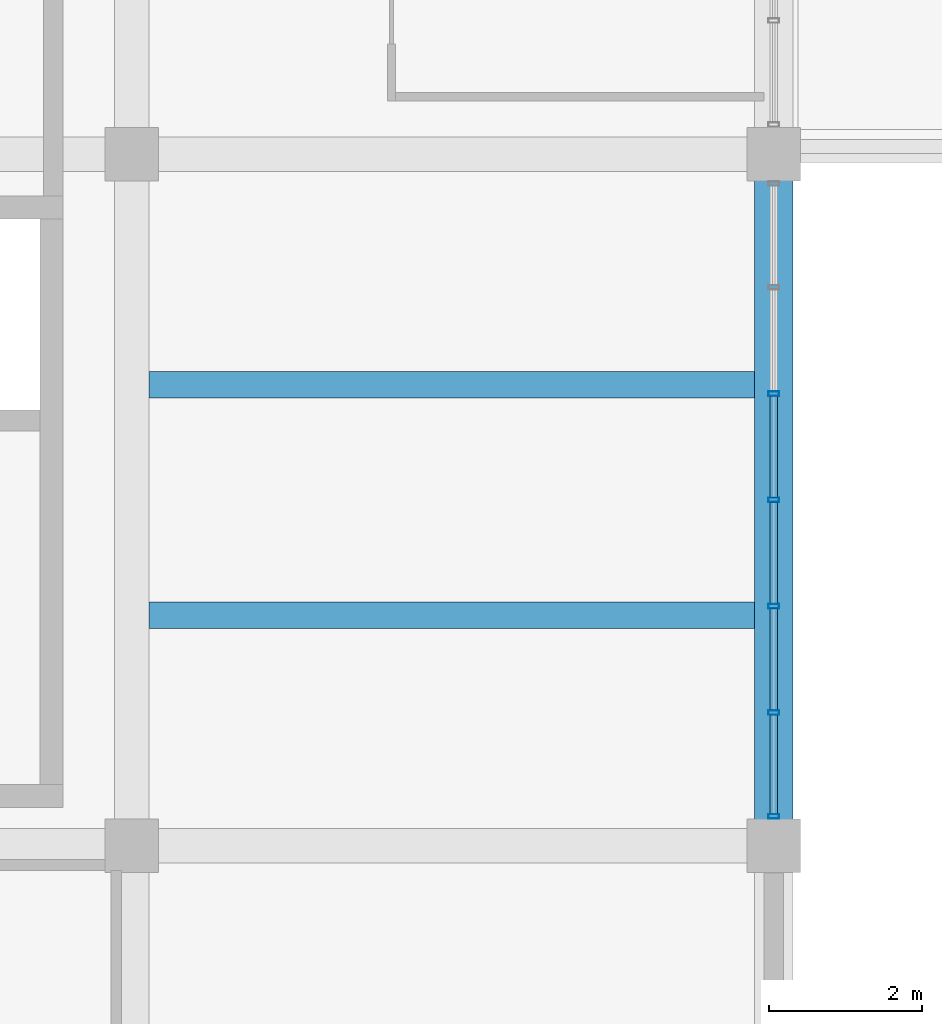
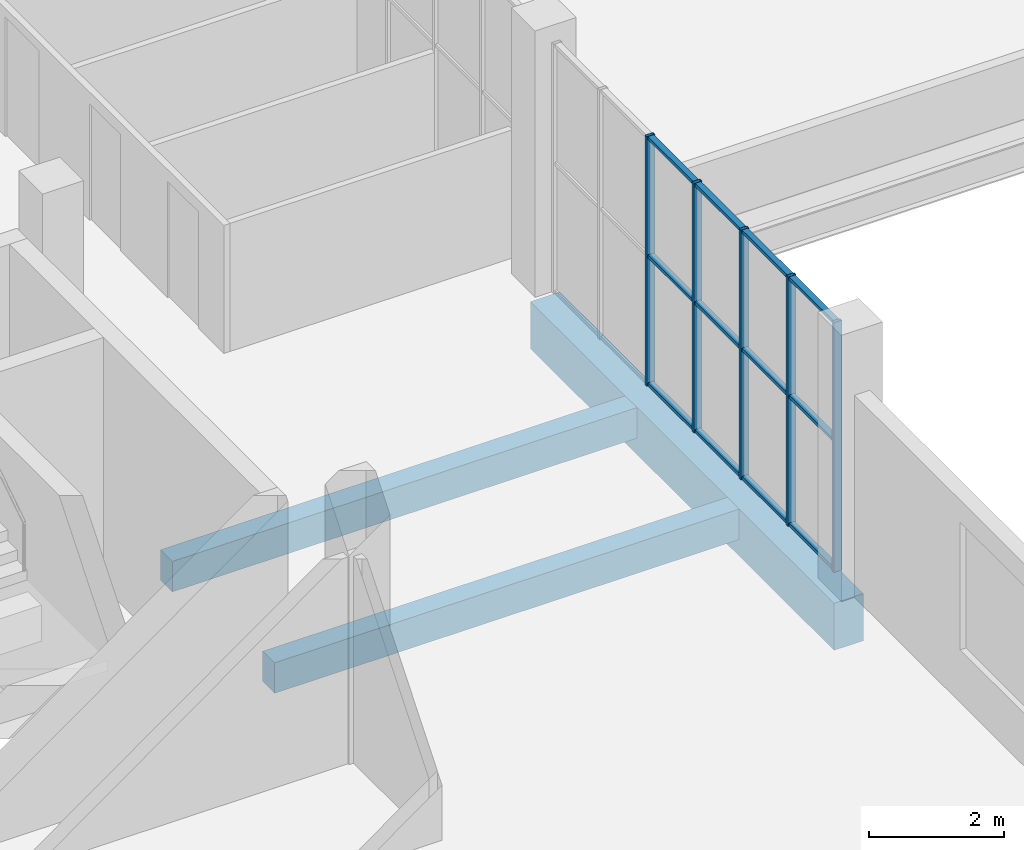
# One storey, part 21 of 80: 17 members, 3 beams, 1 element without a shape of its own.
"""IFC4 building model written with IfcOpenShell, lengths in metres."""

from ifc_helpers import new_model, si_unit, direction, frame, origin, origin_2d, place, context, subcontext, project, spatial, rectangle, hollow_rectangle, extrude, material, material_profile, profile_set, type_object, element, aggregate, save


model = new_model("IFC4")

# Units and contexts
model_context = context("Model", 3, precision=1e-05, world=origin(), true_north=direction((0.0, 1.0)))
body_context = subcontext(model_context, "Body", "Model", "MODEL_VIEW")
ifc_project = project(units=[si_unit("LENGTHUNIT", "METRE"), si_unit("AREAUNIT", "SQUARE_METRE"), si_unit("VOLUMEUNIT", "CUBIC_METRE"), si_unit("PLANEANGLEUNIT", "RADIAN"), si_unit("MASSUNIT", "GRAM", prefix="KILO")], contexts=[model_context])

# Site, building, storey
site_placement = place(None, origin())
site = spatial("IfcSite", under=ifc_project, at=site_placement, CompositionType="ELEMENT")
building_placement = place(site_placement, origin())
building = spatial("IfcBuilding", under=site, at=building_placement, Name="Khurvash Pelagic Aquarium", CompositionType="ELEMENT")
storey_placement = place(building_placement, frame((0.0, 0.0, 10.800048828125)))
storey = spatial("IfcBuildingStorey", under=building, at=storey_placement, Name="L02", CompositionType="ELEMENT", Elevation=10.800048828125)

# Curtain wall, members
ifc_material_1 = material(Name="Anodised aluminium and low-E laminated glass", Category="aluminium")
curtain_wall_type = type_object("IfcCurtainWallType", Name="CW-03", PredefinedType="USERDEFINED", material=ifc_material_1)
curtain_wall_placement = place(storey_placement, origin())
curtain_wall = element("IfcCurtainWall", 1, at=curtain_wall_placement, inside=storey, type_object=curtain_wall_type, Name="L02 Facade Unitised Curtain Wall CW-03 0157", ObjectType="UNITISED CURTAIN WALL", PredefinedType="USERDEFINED")
ifc_material_2 = material(Name="Extruded aluminium AW-6063-T6", Category="aluminium")
ifc_material_profile_1 = material_profile(ifc_material_2, hollow_rectangle(XDim=0.06005859375, YDim=0.139892578125, WallThickness=0.00390625, at=origin_2d()), Name="CWM60X140X4")
ifc_profile_set_1 = profile_set([ifc_material_profile_1], Name="Extruded aluminium AW-6063-T6")
member_type_1 = type_object("IfcMemberType", Name="CM-03", PredefinedType="MULLION", material=ifc_profile_set_1)
member_1_placement = place(storey_placement, frame((109.199951171875, 12.034912109375, 0.0), z_axis=(0.0, 0.0, 1.0), x_axis=(0.0, 1.0, 0.0)))
member_1 = element("IfcMember", 2, at=member_1_placement, type_object=member_type_1, Name="CW-03 mullion 1", PredefinedType="MULLION", context=body_context, shape_type="SweptSolid", body=[
    extrude(hollow_rectangle(XDim=0.06005859375, YDim=0.139892578125, WallThickness=0.00390625, at=origin_2d()), origin(), (0.0, 0.0, 1.0), 4.5),
])
member_2_placement = place(storey_placement, frame((109.199951171875, 13.39501953125, 0.0), z_axis=(0.0, 0.0, 1.0), x_axis=(0.0, 1.0, 0.0)))
member_2 = element("IfcMember", 3, at=member_2_placement, type_object=member_type_1, Name="CW-03 mullion 2", PredefinedType="MULLION", context=body_context, shape_type="SweptSolid", body=[
    extrude(hollow_rectangle(XDim=0.06005859375, YDim=0.139892578125, WallThickness=0.00390625, at=origin_2d()), origin(), (0.0, 0.0, 1.0), 4.5),
])
member_3_placement = place(storey_placement, frame((109.199951171875, 14.784912109375, 0.0), z_axis=(0.0, 0.0, 1.0), x_axis=(0.0, 1.0, 0.0)))
member_3 = element("IfcMember", 4, at=member_3_placement, type_object=member_type_1, Name="CW-03 mullion 3", PredefinedType="MULLION", context=body_context, shape_type="SweptSolid", body=[
    extrude(hollow_rectangle(XDim=0.06005859375, YDim=0.139892578125, WallThickness=0.00390625, at=origin_2d()), origin(), (0.0, 0.0, 1.0), 4.5),
])
member_4_placement = place(storey_placement, frame((109.199951171875, 16.175048828125, 0.0), z_axis=(0.0, 0.0, 1.0), x_axis=(0.0, 1.0, 0.0)))
member_4 = element("IfcMember", 5, at=member_4_placement, type_object=member_type_1, Name="CW-03 mullion 4", PredefinedType="MULLION", context=body_context, shape_type="SweptSolid", body=[
    extrude(hollow_rectangle(XDim=0.06005859375, YDim=0.139892578125, WallThickness=0.00390625, at=origin_2d()), origin(), (0.0, 0.0, 1.0), 4.5),
])
member_5_placement = place(storey_placement, frame((109.199951171875, 17.56494140625, 0.0), z_axis=(0.0, 0.0, 1.0), x_axis=(0.0, 1.0, 0.0)))
member_5 = element("IfcMember", 6, at=member_5_placement, type_object=member_type_1, Name="CW-03 mullion 5", PredefinedType="MULLION", context=body_context, shape_type="SweptSolid", body=[
    extrude(hollow_rectangle(XDim=0.06005859375, YDim=0.139892578125, WallThickness=0.00390625, at=origin_2d()), origin(), (0.0, 0.0, 1.0), 4.5),
])
ifc_material_profile_2 = material_profile(ifc_material_2, hollow_rectangle(XDim=0.10009765625, YDim=0.06005859375, WallThickness=0.00390625, at=origin_2d()), Name="CWT100X60X4")
ifc_profile_set_2 = profile_set([ifc_material_profile_2], Name="Extruded aluminium AW-6063-T6")
member_type_2 = type_object("IfcMemberType", Name="CT-03", PredefinedType="USERDEFINED", material=ifc_profile_set_2)
member_6_placement = place(storey_placement, frame((109.199951171875, 12.06494140625, 0.030029296875), z_axis=(0.0, 1.0, 0.0), x_axis=(-1.0, 0.0, 0.0)))
member_6 = element("IfcMember", 7, at=member_6_placement, type_object=member_type_2, Name="CW-03 transom 1.1", ObjectType="TRANSOM", PredefinedType="USERDEFINED", context=body_context, shape_type="SweptSolid", body=[
    extrude(hollow_rectangle(XDim=0.10009765625, YDim=0.06005859375, WallThickness=0.00390625, at=origin_2d()), origin(), (0.0, 0.0, 1.0), 1.300048828125),
])
member_7_placement = place(storey_placement, frame((109.199951171875, 12.06494140625, 2.33984375), z_axis=(0.0, 1.0, 0.0), x_axis=(-1.0, 0.0, 0.0)))
member_7 = element("IfcMember", 8, at=member_7_placement, type_object=member_type_2, Name="CW-03 transom 1.2", ObjectType="TRANSOM", PredefinedType="USERDEFINED", context=body_context, shape_type="SweptSolid", body=[
    extrude(hollow_rectangle(XDim=0.10009765625, YDim=0.06005859375, WallThickness=0.00390625, at=origin_2d()), origin(), (0.0, 0.0, 1.0), 1.300048828125),
])
member_8_placement = place(storey_placement, frame((109.199951171875, 12.06494140625, 4.469970703125), z_axis=(0.0, 1.0, 0.0), x_axis=(-1.0, 0.0, 0.0)))
member_8 = element("IfcMember", 9, at=member_8_placement, type_object=member_type_2, Name="CW-03 transom 1.3", ObjectType="TRANSOM", PredefinedType="USERDEFINED", context=body_context, shape_type="SweptSolid", body=[
    extrude(hollow_rectangle(XDim=0.10009765625, YDim=0.06005859375, WallThickness=0.00390625, at=origin_2d()), origin(), (0.0, 0.0, 1.0), 1.300048828125),
])
member_9_placement = place(storey_placement, frame((109.199951171875, 13.425048828125, 0.030029296875), z_axis=(0.0, 1.0, 0.0), x_axis=(-1.0, 0.0, 0.0)))
member_9 = element("IfcMember", 10, at=member_9_placement, type_object=member_type_2, Name="CW-03 transom 2.1", ObjectType="TRANSOM", PredefinedType="USERDEFINED", context=body_context, shape_type="SweptSolid", body=[
    extrude(hollow_rectangle(XDim=0.10009765625, YDim=0.06005859375, WallThickness=0.00390625, at=origin_2d()), origin(), (0.0, 0.0, 1.0), 1.329833984375),
])
member_10_placement = place(storey_placement, frame((109.199951171875, 13.425048828125, 2.33984375), z_axis=(0.0, 1.0, 0.0), x_axis=(-1.0, 0.0, 0.0)))
member_10 = element("IfcMember", 11, at=member_10_placement, type_object=member_type_2, Name="CW-03 transom 2.2", ObjectType="TRANSOM", PredefinedType="USERDEFINED", context=body_context, shape_type="SweptSolid", body=[
    extrude(hollow_rectangle(XDim=0.10009765625, YDim=0.06005859375, WallThickness=0.00390625, at=origin_2d()), origin(), (0.0, 0.0, 1.0), 1.329833984375),
])
member_11_placement = place(storey_placement, frame((109.199951171875, 13.425048828125, 4.469970703125), z_axis=(0.0, 1.0, 0.0), x_axis=(-1.0, 0.0, 0.0)))
member_11 = element("IfcMember", 12, at=member_11_placement, type_object=member_type_2, Name="CW-03 transom 2.3", ObjectType="TRANSOM", PredefinedType="USERDEFINED", context=body_context, shape_type="SweptSolid", body=[
    extrude(hollow_rectangle(XDim=0.10009765625, YDim=0.06005859375, WallThickness=0.00390625, at=origin_2d()), origin(), (0.0, 0.0, 1.0), 1.329833984375),
])
member_12_placement = place(storey_placement, frame((109.199951171875, 14.81494140625, 0.030029296875), z_axis=(0.0, 1.0, 0.0), x_axis=(-1.0, 0.0, 0.0)))
member_12 = element("IfcMember", 13, at=member_12_placement, type_object=member_type_2, Name="CW-03 transom 3.1", ObjectType="TRANSOM", PredefinedType="USERDEFINED", context=body_context, shape_type="SweptSolid", body=[
    extrude(hollow_rectangle(XDim=0.10009765625, YDim=0.06005859375, WallThickness=0.00390625, at=origin_2d()), origin(), (0.0, 0.0, 1.0), 1.330078125),
])
member_13_placement = place(storey_placement, frame((109.199951171875, 14.81494140625, 2.33984375), z_axis=(0.0, 1.0, 0.0), x_axis=(-1.0, 0.0, 0.0)))
member_13 = element("IfcMember", 14, at=member_13_placement, type_object=member_type_2, Name="CW-03 transom 3.2", ObjectType="TRANSOM", PredefinedType="USERDEFINED", context=body_context, shape_type="SweptSolid", body=[
    extrude(hollow_rectangle(XDim=0.10009765625, YDim=0.06005859375, WallThickness=0.00390625, at=origin_2d()), origin(), (0.0, 0.0, 1.0), 1.330078125),
])
member_14_placement = place(storey_placement, frame((109.199951171875, 14.81494140625, 4.469970703125), z_axis=(0.0, 1.0, 0.0), x_axis=(-1.0, 0.0, 0.0)))
member_14 = element("IfcMember", 15, at=member_14_placement, type_object=member_type_2, Name="CW-03 transom 3.3", ObjectType="TRANSOM", PredefinedType="USERDEFINED", context=body_context, shape_type="SweptSolid", body=[
    extrude(hollow_rectangle(XDim=0.10009765625, YDim=0.06005859375, WallThickness=0.00390625, at=origin_2d()), origin(), (0.0, 0.0, 1.0), 1.330078125),
])
member_15_placement = place(storey_placement, frame((109.199951171875, 16.205078125, 0.030029296875), z_axis=(0.0, 1.0, 0.0), x_axis=(-1.0, 0.0, 0.0)))
member_15 = element("IfcMember", 16, at=member_15_placement, type_object=member_type_2, Name="CW-03 transom 4.1", ObjectType="TRANSOM", PredefinedType="USERDEFINED", context=body_context, shape_type="SweptSolid", body=[
    extrude(hollow_rectangle(XDim=0.10009765625, YDim=0.06005859375, WallThickness=0.00390625, at=origin_2d()), origin(), (0.0, 0.0, 1.0), 1.329833984375),
])
member_16_placement = place(storey_placement, frame((109.199951171875, 16.205078125, 2.33984375), z_axis=(0.0, 1.0, 0.0), x_axis=(-1.0, 0.0, 0.0)))
member_16 = element("IfcMember", 17, at=member_16_placement, type_object=member_type_2, Name="CW-03 transom 4.2", ObjectType="TRANSOM", PredefinedType="USERDEFINED", context=body_context, shape_type="SweptSolid", body=[
    extrude(hollow_rectangle(XDim=0.10009765625, YDim=0.06005859375, WallThickness=0.00390625, at=origin_2d()), origin(), (0.0, 0.0, 1.0), 1.329833984375),
])
member_17_placement = place(storey_placement, frame((109.199951171875, 16.205078125, 4.469970703125), z_axis=(0.0, 1.0, 0.0), x_axis=(-1.0, 0.0, 0.0)))
member_17 = element("IfcMember", 18, at=member_17_placement, type_object=member_type_2, Name="CW-03 transom 4.3", ObjectType="TRANSOM", PredefinedType="USERDEFINED", context=body_context, shape_type="SweptSolid", body=[
    extrude(hollow_rectangle(XDim=0.10009765625, YDim=0.06005859375, WallThickness=0.00390625, at=origin_2d()), origin(), (0.0, 0.0, 1.0), 1.329833984375),
])
aggregate(curtain_wall, [member_1, member_2, member_3, member_4, member_5, member_6, member_7, member_8, member_9, member_10, member_11, member_12, member_13, member_14, member_15, member_16, member_17])

# Beams
ifc_material_3 = material(Name="Concrete C35/45", Category="concrete")
ifc_material_profile_3 = material_profile(ifc_material_3, rectangle(XDim=0.35009765625, YDim=0.550048828125, at=origin_2d()), Name="RC350X550")
ifc_profile_set_3 = profile_set([ifc_material_profile_3], Name="Concrete C35/45")
beam_type_1 = type_object("IfcBeamType", Name="JS-01", PredefinedType="JOIST", material=ifc_profile_set_3)
for number, where, z_axis, x_axis, name in (
    (19, (101.02490234375, 14.6669921875, -0.574951171875), (1.0, 0.0, 0.0), (0.0, 1.0, 0.0), "L02 Floor Joist JS-01 00815"),
    (20, (101.02490234375, 17.68310546875, -0.574951171875), (1.0, 0.0, 0.0), (0.0, 1.0, 0.0), "L02 Floor Joist JS-01 00816"),
):
    element("IfcBeam", number, at=place(storey_placement, frame(where, z_axis=z_axis, x_axis=x_axis)), inside=storey, type_object=beam_type_1, Name=name, PredefinedType="JOIST", context=body_context, shape_type="SweptSolid", body=[
        extrude(rectangle(XDim=0.35009765625, YDim=0.550048828125, at=origin_2d()), origin(), (0.0, 0.0, 1.0), 7.925048828125),
    ])
ifc_material_4 = material(Name="Concrete C40/50", Category="concrete")
ifc_material_profile_4 = material_profile(ifc_material_4, rectangle(XDim=0.5, YDim=0.85009765625, at=origin_2d()), Name="RC500X850")
ifc_profile_set_4 = profile_set([ifc_material_profile_4], Name="Concrete C40/50")
beam_type_2 = type_object("IfcBeamType", Name="SEB-03", PredefinedType="SPANDREL", material=ifc_profile_set_4)
beam_placement = place(storey_placement, frame((109.199951171875, 11.68994140625, -0.72509765625), z_axis=(0.0, 1.0, 0.0), x_axis=(-1.0, 0.0, 0.0)))
element("IfcBeam", 21, at=beam_placement, inside=storey, type_object=beam_type_2, Name="L02 Primary Girder SEB-03 00712", PredefinedType="SPANDREL", context=body_context, shape_type="SweptSolid", body=[
    extrude(rectangle(XDim=0.5, YDim=0.85009765625, at=origin_2d()), origin(), (0.0, 0.0, 1.0), 8.969970703125),
])

save(model, "model.ifc")
